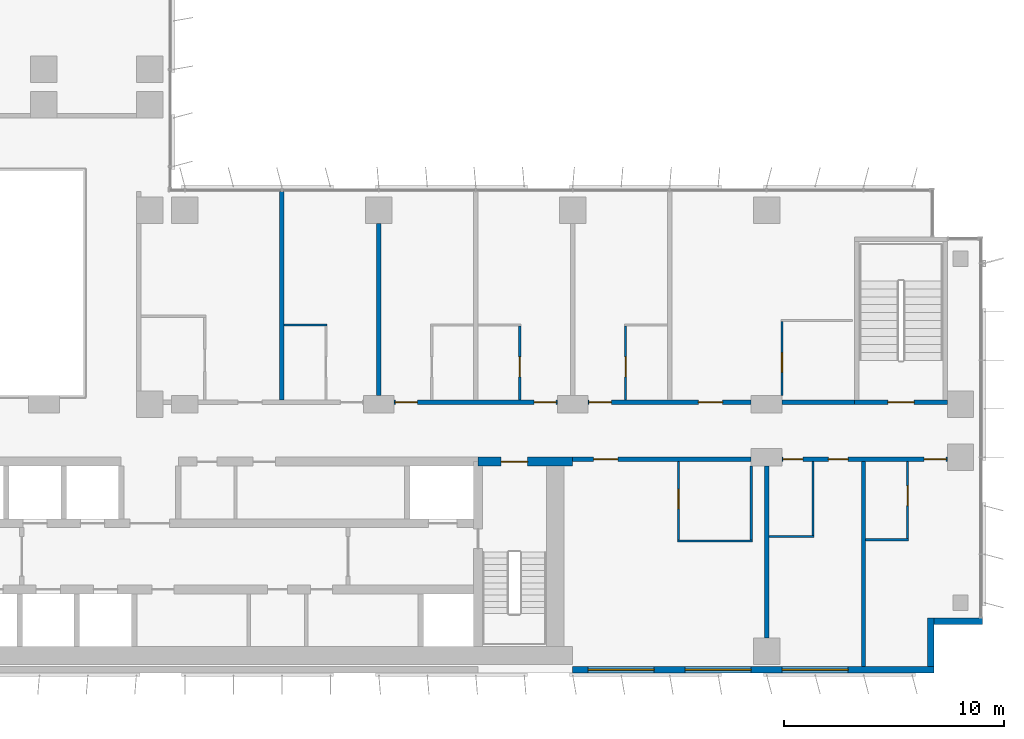
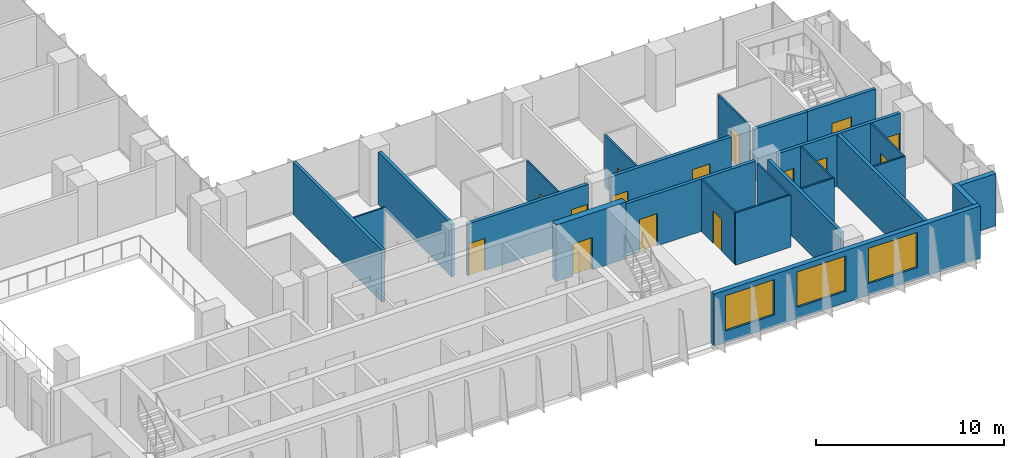
# One storey, part 14 of 23: 25 walls, 15 doors, 3 windows, 18 openings.
"""IFC4 building model written with IfcOpenShell, lengths in metres."""

from ifc_helpers import new_model, si_unit, direction, frame, frame_2d, origin, place, context, subcontext, project, spatial, rectangle, extrude, material, layer, layer_set, type_object, element, fill, save


model = new_model("IFC4")

# Units and contexts
model_context = context("Model", 3, precision=1e-05, world=origin(), true_north=direction((0.0, 1.0)))
body_context = subcontext(model_context, "Body", "Model", "MODEL_VIEW")
ifc_project = project(units=[si_unit("LENGTHUNIT", "METRE"), si_unit("AREAUNIT", "SQUARE_METRE"), si_unit("VOLUMEUNIT", "CUBIC_METRE"), si_unit("PLANEANGLEUNIT", "RADIAN"), si_unit("MASSUNIT", "GRAM", prefix="KILO")], contexts=[model_context])

# Site, building, storey
site_placement = place(None, origin())
site = spatial("IfcSite", under=ifc_project, at=site_placement, CompositionType="ELEMENT")
building_placement = place(site_placement, origin())
building = spatial("IfcBuilding", under=site, at=building_placement, Name="Kemantara Hotel Tower", CompositionType="ELEMENT")
storey_placement = place(building_placement, frame((0.0, 0.0, 142.0)))
storey = spatial("IfcBuildingStorey", under=building, at=storey_placement, Name="L34", CompositionType="ELEMENT", Elevation=142.0)

# Wall, openings, windows
ifc_material_1 = material(Name="Bronze anodised aluminium cladding on insulated steel stud wall", Category="steel")
ifc_layer_1 = layer(ifc_material_1, 0.300048828125)
ifc_layer_set_1 = layer_set([ifc_layer_1], Name="Bronze anodised aluminium cladding on insulated steel stud wall")
wall_type_1 = type_object("IfcWallType", Name="BRONZE METAL-CLAD EXTERNAL WALL 300", PredefinedType="STANDARD", material=ifc_layer_set_1)
wall_1_placement = place(storey_placement, frame((45.0, 0.14990234375, 0.0), z_axis=(0.0, 0.0, 1.0), x_axis=(1.0, 0.0, 0.0)))
wall_1 = element("IfcWall", 1, at=wall_1_placement, inside=storey, type_object=wall_type_1, Name="EXTERNAL WALL L34 T2-R07-3", PredefinedType="STANDARD", context=body_context, shape_type="SweptSolid", body=[
    extrude(rectangle(XDim=16.39990234375, YDim=0.300048828125, at=frame_2d((8.199951171875, 0.0))), origin(), (0.0, 0.0, 1.0), 3.39990234375),
])
opening_1_placement = place(wall_1_placement, frame((0.699951171875, 0.0, 0.75)))
opening_1 = element("IfcOpeningElement", 2, at=opening_1_placement, cuts=wall_1, Name="Opening W1", PredefinedType="OPENING", context=body_context, shape_type="SweptSolid", body=[
    extrude(rectangle(XDim=3.0, YDim=2.300048828125, at=frame_2d((1.5, 1.14990234375))), frame((0.0, 0.159912109375, 0.0), z_axis=(0.0, -1.0, 0.0), x_axis=(1.0, 0.0, 0.0)), (0.0, 0.0, 1.0), 0.320068359375),
])
opening_2_placement = place(wall_1_placement, frame((5.10009765625, 0.0, 0.75)))
opening_2 = element("IfcOpeningElement", 3, at=opening_2_placement, cuts=wall_1, Name="Opening W1", PredefinedType="OPENING", context=body_context, shape_type="SweptSolid", body=[
    extrude(rectangle(XDim=3.0, YDim=2.300048828125, at=frame_2d((1.5, 1.14990234375))), frame((0.0, 0.159912109375, 0.0), z_axis=(0.0, -1.0, 0.0), x_axis=(1.0, 0.0, 0.0)), (0.0, 0.0, 1.0), 0.320068359375),
])
opening_3_placement = place(wall_1_placement, frame((9.5, 0.0, 0.75)))
opening_3 = element("IfcOpeningElement", 4, at=opening_3_placement, cuts=wall_1, Name="Opening W1", PredefinedType="OPENING", context=body_context, shape_type="SweptSolid", body=[
    extrude(rectangle(XDim=3.0, YDim=2.300048828125, at=frame_2d((1.5, 1.14990234375))), frame((0.0, 0.159912109375, 0.0), z_axis=(0.0, -1.0, 0.0), x_axis=(1.0, 0.0, 0.0)), (0.0, 0.0, 1.0), 0.320068359375),
])
ifc_material_2 = material(Name="Low-E tinted double insulated glass in bronze anodised aluminium frame", Category="aluminium")
window_type = type_object("IfcWindowType", Name="CHICAGO WINDOW, TRIPLE PANEL 3000x2300", PartitioningType="TRIPLE_PANEL_VERTICAL", PredefinedType="WINDOW", material=ifc_material_2)
window_1_placement = place(opening_1_placement, origin())
window_1 = element("IfcWindow", 5, at=window_1_placement, inside=storey, type_object=window_type, Name="CHICAGO WINDOW L34 T2-R07-450", OverallHeight=2.300048828125, OverallWidth=3.0, PartitioningType="SINGLE_PANEL", PredefinedType="WINDOW", context=body_context, shape_type="SweptSolid", body=[
    extrude(rectangle(XDim=3.0, YDim=2.300048828125, at=frame_2d((1.5, 1.14990234375))), frame((0.0, 0.030029296875, 0.0), z_axis=(0.0, -1.0, 0.0), x_axis=(1.0, 0.0, 0.0)), (0.0, 0.0, 1.0), 0.06005859375),
])
fill(opening_1, window_1)
window_2_placement = place(opening_2_placement, origin())
window_2 = element("IfcWindow", 6, at=window_2_placement, inside=storey, type_object=window_type, Name="CHICAGO WINDOW L34 T2-R07-494", OverallHeight=2.300048828125, OverallWidth=3.0, PartitioningType="SINGLE_PANEL", PredefinedType="WINDOW", context=body_context, shape_type="SweptSolid", body=[
    extrude(rectangle(XDim=3.0, YDim=2.300048828125, at=frame_2d((1.5, 1.14990234375))), frame((0.0, 0.030029296875, 0.0), z_axis=(0.0, -1.0, 0.0), x_axis=(1.0, 0.0, 0.0)), (0.0, 0.0, 1.0), 0.06005859375),
])
fill(opening_2, window_2)
window_3_placement = place(opening_3_placement, origin())
window_3 = element("IfcWindow", 7, at=window_3_placement, inside=storey, type_object=window_type, Name="CHICAGO WINDOW L34 T2-R07-538", OverallHeight=2.300048828125, OverallWidth=3.0, PartitioningType="SINGLE_PANEL", PredefinedType="WINDOW", context=body_context, shape_type="SweptSolid", body=[
    extrude(rectangle(XDim=3.0, YDim=2.300048828125, at=frame_2d((1.5, 1.14990234375))), frame((0.0, 0.030029296875, 0.0), z_axis=(0.0, -1.0, 0.0), x_axis=(1.0, 0.0, 0.0)), (0.0, 0.0, 1.0), 0.06005859375),
])
fill(opening_3, window_3)

# Walls
wall_2_placement = place(storey_placement, frame((61.25, 0.300048828125, 0.0), z_axis=(0.0, 0.0, 1.0), x_axis=(0.0, 1.0, 0.0)))
element("IfcWall", 8, at=wall_2_placement, inside=storey, type_object=wall_type_1, Name="EXTERNAL WALL L34 T2-R08", PredefinedType="STANDARD", context=body_context, shape_type="SweptSolid", body=[
    extrude(rectangle(XDim=2.199951171875, YDim=0.300048828125, at=frame_2d((1.10009765625, 0.0))), origin(), (0.0, 0.0, 1.0), 3.39990234375),
])
wall_3_placement = place(storey_placement, frame((61.39990234375, 2.35009765625, 0.0), z_axis=(0.0, 0.0, 1.0), x_axis=(1.0, 0.0, 0.0)))
element("IfcWall", 9, at=wall_3_placement, inside=storey, type_object=wall_type_1, Name="EXTERNAL WALL L34 T2-R09", PredefinedType="STANDARD", context=body_context, shape_type="SweptSolid", body=[
    extrude(rectangle(XDim=2.2001953125, YDim=0.300048828125, at=frame_2d((1.10009765625, 0.0))), origin(), (0.0, 0.0, 1.0), 3.39990234375),
])

# Wall, opening, door
ifc_material_3 = material(Name="Concrete fc 60 MPa", Category="concrete")
ifc_layer_2 = layer(ifc_material_3, 0.39990234375)
ifc_layer_set_2 = layer_set([ifc_layer_2], Name="Concrete fc 60 MPa")
wall_type_2 = type_object("IfcWallType", Name="CORE WALL 400 FC60", PredefinedType="SHEAR", material=ifc_layer_set_2)
wall_4_placement = place(storey_placement, frame((40.699951171875, 9.60009765625, 0.0), z_axis=(0.0, 0.0, 1.0), x_axis=(1.0, 0.0, 0.0)))
wall_4 = element("IfcWall", 10, at=wall_4_placement, inside=storey, type_object=wall_type_2, Name="CORE WALL CW-N2", PredefinedType="SHEAR", context=body_context, shape_type="SweptSolid", body=[
    extrude(rectangle(XDim=4.300048828125, YDim=0.39990234375, at=frame_2d((2.14990234375, 0.0))), origin(), (0.0, 0.0, 1.0), 3.699951171875),
])
opening_4_placement = place(wall_4_placement, frame((1.050048828125, 0.0, 0.0)))
opening_4 = element("IfcOpeningElement", 11, at=opening_4_placement, cuts=wall_4, Name="Opening C22-ST2-C", PredefinedType="OPENING", context=body_context, shape_type="SweptSolid", body=[
    extrude(rectangle(XDim=1.199951171875, YDim=2.10009765625, at=frame_2d((0.60009765625, 1.050048828125))), frame((0.0, 0.2099609375, 0.0), z_axis=(0.0, -1.0, 0.0), x_axis=(1.0, 0.0, 0.0)), (0.0, 0.0, 1.0), 0.419921875),
])
ifc_material_4 = material(Name="Steel fire door", Category="steel")
door_type_1 = type_object("IfcDoorType", Name="Fire door FD90 1200 x 2100", OperationType="NOTDEFINED", PredefinedType="DOOR", material=ifc_material_4)
door_1_placement = place(opening_4_placement, frame((1.199951171875, 0.0, 0.0), z_axis=(0.0, 0.0, 1.0), x_axis=(-1.0, 0.0, 0.0)))
door_1 = element("IfcDoor", 12, at=door_1_placement, inside=storey, type_object=door_type_1, Name="Stair ST2 door to corridor", OperationType="SINGLE_SWING_RIGHT", OverallHeight=2.10009765625, OverallWidth=1.199951171875, PredefinedType="DOOR", context=body_context, shape_type="SweptSolid", body=[
    extrude(rectangle(XDim=1.199951171875, YDim=2.10009765625, at=frame_2d((0.60009765625, 1.050048828125))), frame((0.0, 0.02490234375, 0.0), z_axis=(0.0, -1.0, 0.0), x_axis=(1.0, 0.0, 0.0)), (0.0, 0.0, 1.0), 0.050048828125),
])
fill(opening_4, door_1)

ifc_material_5 = material(Name="Gypsum board partition, steel studs and mineral wool, 200 mm", Category="steel")
ifc_layer_3 = layer(ifc_material_5, 0.199951171875)
ifc_layer_set_3 = layer_set([ifc_layer_3], Name="Gypsum board partition, steel studs and mineral wool, 200 mm")
wall_type_3 = type_object("IfcWallType", Name="CORRIDOR WALL 200", PredefinedType="PARTITIONING", material=ifc_layer_set_3)
wall_5_placement = place(storey_placement, frame((53.099853515625, 9.699951171875, 0.0), z_axis=(0.0, 0.0, 1.0), x_axis=(-1.0, 0.0, 0.0)))
wall_5 = element("IfcWall", 13, at=wall_5_placement, inside=storey, type_object=wall_type_3, Name="CORRIDOR WALL 200 001", PredefinedType="PARTITIONING", context=body_context, shape_type="SweptSolid", body=[
    extrude(rectangle(XDim=8.099853515625, YDim=0.199951171875, at=frame_2d((4.0498046875, 0.0))), origin(), (0.0, 0.0, 1.0), 3.39990234375),
])
opening_5_placement = place(wall_5_placement, frame((6.0498046875, 0.0, 0.0)))
opening_5 = element("IfcOpeningElement", 14, at=opening_5_placement, cuts=wall_5, Name="Opening F15-001", PredefinedType="OPENING", context=body_context, shape_type="SweptSolid", body=[
    extrude(rectangle(XDim=1.10009765625, YDim=2.10009765625, at=frame_2d((0.550048828125, 1.050048828125))), frame((0.0, 0.10986328125, 0.0), z_axis=(0.0, -1.0, 0.0), x_axis=(1.0, 0.0, 0.0)), (0.0, 0.0, 1.0), 0.219970703125),
])
ifc_material_6 = material(Name="Hardwood veneer door leaf with steel frame", Category="steel")
door_type_2 = type_object("IfcDoorType", Name="SUITE ENTRANCE DOOR 1100 X 2100 FD30S", OperationType="NOTDEFINED", PredefinedType="DOOR", material=ifc_material_6)
door_2_placement = place(opening_5_placement, origin())
door_2 = element("IfcDoor", 15, at=door_2_placement, inside=storey, type_object=door_type_2, Name="SUITE ENTRANCE DOOR F15-001", OperationType="SINGLE_SWING_RIGHT", OverallHeight=2.10009765625, OverallWidth=1.10009765625, PredefinedType="DOOR", context=body_context, shape_type="SweptSolid", body=[
    extrude(rectangle(XDim=1.10009765625, YDim=2.10009765625, at=frame_2d((0.550048828125, 1.050048828125))), frame((0.0, 0.02490234375, 0.0), z_axis=(0.0, -1.0, 0.0), x_axis=(1.0, 0.0, 0.0)), (0.0, 0.0, 1.0), 0.050048828125),
])
fill(opening_5, door_2)

# Wall, openings, doors
wall_6_placement = place(storey_placement, frame((62.0, 9.699951171875, 0.0), z_axis=(0.0, 0.0, 1.0), x_axis=(-1.0, 0.0, 0.0)))
wall_6 = element("IfcWall", 16, at=wall_6_placement, inside=storey, type_object=wall_type_3, Name="CORRIDOR WALL 200 002", PredefinedType="PARTITIONING", context=body_context, shape_type="SweptSolid", body=[
    extrude(rectangle(XDim=7.5, YDim=0.199951171875, at=frame_2d((3.75, 0.0))), origin(), (0.0, 0.0, 1.0), 3.39990234375),
])
opening_6_placement = place(wall_6_placement, frame((4.5, 0.0, 0.0)))
opening_6 = element("IfcOpeningElement", 17, at=opening_6_placement, cuts=wall_6, Name="Opening F15-003", PredefinedType="OPENING", context=body_context, shape_type="SweptSolid", body=[
    extrude(rectangle(XDim=0.89990234375, YDim=2.10009765625, at=frame_2d((0.449951171875, 1.050048828125))), frame((0.0, 0.10986328125, 0.0), z_axis=(0.0, -1.0, 0.0), x_axis=(1.0, 0.0, 0.0)), (0.0, 0.0, 1.0), 0.219970703125),
])
opening_7_placement = place(wall_6_placement, frame((6.5498046875, 0.0, 0.0)))
opening_7 = element("IfcOpeningElement", 18, at=opening_7_placement, cuts=wall_6, Name="Opening F15-004", PredefinedType="OPENING", context=body_context, shape_type="SweptSolid", body=[
    extrude(rectangle(XDim=0.89990234375, YDim=2.10009765625, at=frame_2d((0.449951171875, 1.050048828125))), frame((0.0, 0.10986328125, 0.0), z_axis=(0.0, -1.0, 0.0), x_axis=(1.0, 0.0, 0.0)), (0.0, 0.0, 1.0), 0.219970703125),
])
opening_8_placement = place(wall_6_placement, frame((0.0498046875, 0.0, 0.0)))
opening_8 = element("IfcOpeningElement", 19, at=opening_8_placement, cuts=wall_6, Name="Opening F15-005", PredefinedType="OPENING", context=body_context, shape_type="SweptSolid", body=[
    extrude(rectangle(XDim=1.0, YDim=2.10009765625, at=frame_2d((0.5, 1.050048828125))), frame((0.0, 0.10986328125, 0.0), z_axis=(0.0, -1.0, 0.0), x_axis=(1.0, 0.0, 0.0)), (0.0, 0.0, 1.0), 0.219970703125),
])
door_type_3 = type_object("IfcDoorType", Name="GUEST ROOM DOOR 1000 X 2100 FD30S", OperationType="NOTDEFINED", PredefinedType="DOOR", material=ifc_material_6)
door_3_placement = place(opening_8_placement, origin())
door_3 = element("IfcDoor", 20, at=door_3_placement, inside=storey, type_object=door_type_3, Name="GUEST ROOM DOOR F15-005", OperationType="SINGLE_SWING_LEFT", OverallHeight=2.10009765625, OverallWidth=1.0, PredefinedType="DOOR", context=body_context, shape_type="SweptSolid", body=[
    extrude(rectangle(XDim=1.0, YDim=2.10009765625, at=frame_2d((0.5, 1.050048828125))), frame((0.0, 0.02490234375, 0.0), z_axis=(0.0, -1.0, 0.0), x_axis=(1.0, 0.0, 0.0)), (0.0, 0.0, 1.0), 0.050048828125),
])
fill(opening_8, door_3)
ifc_material_7 = material(Name="Steel door leaf with steel frame", Category="steel")
door_type_4 = type_object("IfcDoorType", Name="SERVICE ROOM DOOR 900 X 2100 FD60", OperationType="NOTDEFINED", PredefinedType="DOOR", material=ifc_material_7)
door_4_placement = place(opening_6_placement, origin())
door_4 = element("IfcDoor", 21, at=door_4_placement, inside=storey, type_object=door_type_4, Name="SERVICE ROOM DOOR F15-003", OperationType="SINGLE_SWING_LEFT", OverallHeight=2.10009765625, OverallWidth=0.89990234375, PredefinedType="DOOR", context=body_context, shape_type="SweptSolid", body=[
    extrude(rectangle(XDim=0.89990234375, YDim=2.10009765625, at=frame_2d((0.449951171875, 1.050048828125))), frame((0.0, 0.02490234375, 0.0), z_axis=(0.0, -1.0, 0.0), x_axis=(1.0, 0.0, 0.0)), (0.0, 0.0, 1.0), 0.050048828125),
])
fill(opening_6, door_4)
door_5_placement = place(opening_7_placement, origin())
door_5 = element("IfcDoor", 22, at=door_5_placement, inside=storey, type_object=door_type_4, Name="SERVICE ROOM DOOR F15-004", OperationType="SINGLE_SWING_RIGHT", OverallHeight=2.10009765625, OverallWidth=0.89990234375, PredefinedType="DOOR", context=body_context, shape_type="SweptSolid", body=[
    extrude(rectangle(XDim=0.89990234375, YDim=2.10009765625, at=frame_2d((0.449951171875, 1.050048828125))), frame((0.0, 0.02490234375, 0.0), z_axis=(0.0, -1.0, 0.0), x_axis=(1.0, 0.0, 0.0)), (0.0, 0.0, 1.0), 0.050048828125),
])
fill(opening_7, door_5)

wall_7_placement = place(storey_placement, frame((36.900146484375, 12.300048828125, 0.0), z_axis=(0.0, 0.0, 1.0), x_axis=(1.0, 0.0, 0.0)))
wall_7 = element("IfcWall", 23, at=wall_7_placement, inside=storey, type_object=wall_type_3, Name="CORRIDOR WALL 200 007", PredefinedType="PARTITIONING", context=body_context, shape_type="SweptSolid", body=[
    extrude(rectangle(XDim=7.399658203125, YDim=0.199951171875, at=frame_2d((3.69970703125, 0.0))), origin(), (0.0, 0.0, 1.0), 3.39990234375),
])
opening_9_placement = place(wall_7_placement, frame((0.0498046875, 0.0, 0.0)))
opening_9 = element("IfcOpeningElement", 24, at=opening_9_placement, cuts=wall_7, Name="Opening F15-011", PredefinedType="OPENING", context=body_context, shape_type="SweptSolid", body=[
    extrude(rectangle(XDim=1.0, YDim=2.10009765625, at=frame_2d((0.5, 1.050048828125))), frame((0.0, 0.10986328125, 0.0), z_axis=(0.0, -1.0, 0.0), x_axis=(1.0, 0.0, 0.0)), (0.0, 0.0, 1.0), 0.219970703125),
])
opening_10_placement = place(wall_7_placement, frame((6.349853515625, 0.0, 0.0)))
opening_10 = element("IfcOpeningElement", 25, at=opening_10_placement, cuts=wall_7, Name="Opening F15-013", PredefinedType="OPENING", context=body_context, shape_type="SweptSolid", body=[
    extrude(rectangle(XDim=1.0, YDim=2.10009765625, at=frame_2d((0.5, 1.050048828125))), frame((0.0, 0.10986328125, 0.0), z_axis=(0.0, -1.0, 0.0), x_axis=(1.0, 0.0, 0.0)), (0.0, 0.0, 1.0), 0.219970703125),
])
door_6_placement = place(opening_9_placement, origin())
door_6 = element("IfcDoor", 26, at=door_6_placement, inside=storey, type_object=door_type_3, Name="GUEST ROOM DOOR F15-011", OperationType="SINGLE_SWING_LEFT", OverallHeight=2.10009765625, OverallWidth=1.0, PredefinedType="DOOR", context=body_context, shape_type="SweptSolid", body=[
    extrude(rectangle(XDim=1.0, YDim=2.10009765625, at=frame_2d((0.5, 1.050048828125))), frame((0.0, 0.02490234375, 0.0), z_axis=(0.0, -1.0, 0.0), x_axis=(1.0, 0.0, 0.0)), (0.0, 0.0, 1.0), 0.050048828125),
])
fill(opening_9, door_6)
door_7_placement = place(opening_10_placement, origin())
door_7 = element("IfcDoor", 27, at=door_7_placement, inside=storey, type_object=door_type_3, Name="GUEST ROOM DOOR F15-013", OperationType="SINGLE_SWING_RIGHT", OverallHeight=2.10009765625, OverallWidth=1.0, PredefinedType="DOOR", context=body_context, shape_type="SweptSolid", body=[
    extrude(rectangle(XDim=1.0, YDim=2.10009765625, at=frame_2d((0.5, 1.050048828125))), frame((0.0, 0.02490234375, 0.0), z_axis=(0.0, -1.0, 0.0), x_axis=(1.0, 0.0, 0.0)), (0.0, 0.0, 1.0), 0.050048828125),
])
fill(opening_10, door_7)

wall_8_placement = place(storey_placement, frame((45.7001953125, 12.300048828125, 0.0), z_axis=(0.0, 0.0, 1.0), x_axis=(1.0, 0.0, 0.0)))
wall_8 = element("IfcWall", 28, at=wall_8_placement, inside=storey, type_object=wall_type_3, Name="CORRIDOR WALL 200 008", PredefinedType="PARTITIONING", context=body_context, shape_type="SweptSolid", body=[
    extrude(rectangle(XDim=7.399658203125, YDim=0.199951171875, at=frame_2d((3.69970703125, 0.0))), origin(), (0.0, 0.0, 1.0), 3.39990234375),
])
opening_11_placement = place(wall_8_placement, frame((0.0498046875, 0.0, 0.0)))
opening_11 = element("IfcOpeningElement", 29, at=opening_11_placement, cuts=wall_8, Name="Opening F15-015", PredefinedType="OPENING", context=body_context, shape_type="SweptSolid", body=[
    extrude(rectangle(XDim=1.0, YDim=2.10009765625, at=frame_2d((0.5, 1.050048828125))), frame((0.0, 0.10986328125, 0.0), z_axis=(0.0, -1.0, 0.0), x_axis=(1.0, 0.0, 0.0)), (0.0, 0.0, 1.0), 0.219970703125),
])
opening_12_placement = place(wall_8_placement, frame((5.0, 0.0, 0.0)))
opening_12 = element("IfcOpeningElement", 30, at=opening_12_placement, cuts=wall_8, Name="Opening F15-017", PredefinedType="OPENING", context=body_context, shape_type="SweptSolid", body=[
    extrude(rectangle(XDim=1.10009765625, YDim=2.10009765625, at=frame_2d((0.550048828125, 1.050048828125))), frame((0.0, 0.10986328125, 0.0), z_axis=(0.0, -1.0, 0.0), x_axis=(1.0, 0.0, 0.0)), (0.0, 0.0, 1.0), 0.219970703125),
])
door_8_placement = place(opening_11_placement, origin())
door_8 = element("IfcDoor", 31, at=door_8_placement, inside=storey, type_object=door_type_3, Name="GUEST ROOM DOOR F15-015", OperationType="SINGLE_SWING_LEFT", OverallHeight=2.10009765625, OverallWidth=1.0, PredefinedType="DOOR", context=body_context, shape_type="SweptSolid", body=[
    extrude(rectangle(XDim=1.0, YDim=2.10009765625, at=frame_2d((0.5, 1.050048828125))), frame((0.0, 0.02490234375, 0.0), z_axis=(0.0, -1.0, 0.0), x_axis=(1.0, 0.0, 0.0)), (0.0, 0.0, 1.0), 0.050048828125),
])
fill(opening_11, door_8)
door_9_placement = place(opening_12_placement, origin())
door_9 = element("IfcDoor", 32, at=door_9_placement, inside=storey, type_object=door_type_2, Name="SUITE ENTRANCE DOOR F15-017", OperationType="SINGLE_SWING_LEFT", OverallHeight=2.10009765625, OverallWidth=1.10009765625, PredefinedType="DOOR", context=body_context, shape_type="SweptSolid", body=[
    extrude(rectangle(XDim=1.10009765625, YDim=2.10009765625, at=frame_2d((0.550048828125, 1.050048828125))), frame((0.0, 0.02490234375, 0.0), z_axis=(0.0, -1.0, 0.0), x_axis=(1.0, 0.0, 0.0)), (0.0, 0.0, 1.0), 0.050048828125),
])
fill(opening_12, door_9)

# Wall
wall_9_placement = place(storey_placement, frame((54.5, 12.300048828125, 0.0), z_axis=(0.0, 0.0, 1.0), x_axis=(1.0, 0.0, 0.0)))
element("IfcWall", 33, at=wall_9_placement, inside=storey, type_object=wall_type_3, Name="CORRIDOR WALL 200 009", PredefinedType="PARTITIONING", context=body_context, shape_type="SweptSolid", body=[
    extrude(rectangle(XDim=3.300048828125, YDim=0.199951171875, at=frame_2d((1.64990234375, 0.0))), origin(), (0.0, 0.0, 1.0), 3.39990234375),
])

# Wall, opening, door
ifc_material_8 = material(Name="Concrete fc 40 MPa", Category="concrete")
ifc_layer_4 = layer(ifc_material_8, 0.199951171875)
ifc_layer_set_4 = layer_set([ifc_layer_4], Name="Concrete fc 40 MPa")
wall_type_4 = type_object("IfcWallType", Name="Concrete stair wall 200 mm", PredefinedType="SHEAR", material=ifc_layer_set_4)
wall_10_placement = place(storey_placement, frame((57.800048828125, 12.300048828125, 0.0), z_axis=(0.0, 0.0, 1.0), x_axis=(1.0, 0.0, 0.0)))
wall_10 = element("IfcWall", 34, at=wall_10_placement, inside=storey, type_object=wall_type_4, Name="Stair ST3 enclosure wall with door", PredefinedType="SHEAR", context=body_context, shape_type="SweptSolid", body=[
    extrude(rectangle(XDim=4.199951171875, YDim=0.199951171875, at=frame_2d((2.10009765625, 0.0))), origin(), (0.0, 0.0, 1.0), 3.39990234375),
])
opening_13_placement = place(wall_10_placement, frame((1.5, 0.0, 0.0)))
opening_13 = element("IfcOpeningElement", 35, at=opening_13_placement, cuts=wall_10, Name="Opening ST3-C", PredefinedType="OPENING", context=body_context, shape_type="SweptSolid", body=[
    extrude(rectangle(XDim=1.199951171875, YDim=2.10009765625, at=frame_2d((0.60009765625, 1.050048828125))), frame((0.0, 0.10986328125, 0.0), z_axis=(0.0, -1.0, 0.0), x_axis=(1.0, 0.0, 0.0)), (0.0, 0.0, 1.0), 0.219970703125),
])
door_10_placement = place(opening_13_placement, origin())
door_10 = element("IfcDoor", 36, at=door_10_placement, inside=storey, type_object=door_type_1, Name="Stair ST3 door", OperationType="SINGLE_SWING_RIGHT", OverallHeight=2.10009765625, OverallWidth=1.199951171875, PredefinedType="DOOR", context=body_context, shape_type="SweptSolid", body=[
    extrude(rectangle(XDim=1.199951171875, YDim=2.10009765625, at=frame_2d((0.60009765625, 1.050048828125))), frame((0.0, 0.02490234375, 0.0), z_axis=(0.0, -1.0, 0.0), x_axis=(1.0, 0.0, 0.0)), (0.0, 0.0, 1.0), 0.050048828125),
])
fill(opening_13, door_10)

# Walls
ifc_layer_5 = layer(ifc_material_5, 0.199951171875)
ifc_layer_set_5 = layer_set([ifc_layer_5], Name="Gypsum board partition, steel studs and mineral wool, 200 mm")
wall_type_5 = type_object("IfcWallType", Name="GUEST ROOM PARTY WALL 200", PredefinedType="PARTITIONING", material=ifc_layer_set_5)
wall_11_placement = place(storey_placement, frame((53.800048828125, 1.60009765625, 0.0), z_axis=(0.0, 0.0, 1.0), x_axis=(0.0, 1.0, 0.0)))
element("IfcWall", 37, at=wall_11_placement, inside=storey, type_object=wall_type_5, Name="GUEST ROOM PARTY WALL 200 003", PredefinedType="PARTITIONING", context=body_context, shape_type="SweptSolid", body=[
    extrude(rectangle(XDim=7.7998046875, YDim=0.199951171875, at=frame_2d((3.89990234375, 0.0))), origin(), (0.0, 0.0, 1.0), 3.39990234375),
])
wall_12_placement = place(storey_placement, frame((58.199951171875, 0.31005859375, 0.0), z_axis=(0.0, 0.0, 1.0), x_axis=(0.0, 1.0, 0.0)))
element("IfcWall", 38, at=wall_12_placement, inside=storey, type_object=wall_type_5, Name="GUEST ROOM PARTY WALL 200 004", PredefinedType="PARTITIONING", context=body_context, shape_type="SweptSolid", body=[
    extrude(rectangle(XDim=9.2900390625, YDim=0.199951171875, at=frame_2d((4.64501953125, 0.0))), origin(), (0.0, 0.0, 1.0), 3.39990234375),
])
wall_13_placement = place(storey_placement, frame((31.800048828125, 12.39990234375, 0.0), z_axis=(0.0, 0.0, 1.0), x_axis=(0.0, 1.0, 0.0)))
element("IfcWall", 39, at=wall_13_placement, inside=storey, type_object=wall_type_5, Name="GUEST ROOM PARTY WALL 200 012", PredefinedType="PARTITIONING", context=body_context, shape_type="SweptSolid", body=[
    extrude(rectangle(XDim=9.47021484375, YDim=0.199951171875, at=frame_2d((4.735107421875, 0.0))), origin(), (0.0, 0.0, 1.0), 3.39990234375),
])
wall_14_placement = place(storey_placement, frame((36.199951171875, 12.60009765625, 0.0), z_axis=(0.0, 0.0, 1.0), x_axis=(0.0, 1.0, 0.0)))
element("IfcWall", 40, at=wall_14_placement, inside=storey, type_object=wall_type_5, Name="GUEST ROOM PARTY WALL 200 013", PredefinedType="PARTITIONING", context=body_context, shape_type="SweptSolid", body=[
    extrude(rectangle(XDim=7.7998046875, YDim=0.199951171875, at=frame_2d((3.89990234375, 0.0))), origin(), (0.0, 0.0, 1.0), 3.39990234375),
])
ifc_material_9 = material(Name="Gypsum board partition on steel studs, 100 mm", Category="steel")
ifc_layer_6 = layer(ifc_material_9, 0.10009765625)
ifc_layer_set_6 = layer_set([ifc_layer_6], Name="Gypsum board partition on steel studs, 100 mm")
wall_type_6 = type_object("IfcWallType", Name="ROOM PARTITION 100", PredefinedType="PARTITIONING", material=ifc_layer_set_6)
wall_15_placement = place(storey_placement, frame((49.75, 6.0, 0.0), z_axis=(0.0, 0.0, 1.0), x_axis=(1.0, 0.0, 0.0)))
element("IfcWall", 41, at=wall_15_placement, inside=storey, type_object=wall_type_6, Name="ROOM PARTITION 100 051", PredefinedType="PARTITIONING", context=body_context, shape_type="SweptSolid", body=[
    extrude(rectangle(XDim=3.39990234375, YDim=0.10009765625, at=frame_2d((1.699951171875, 0.0))), origin(), (0.0, 0.0, 1.0), 3.39990234375),
])

# Wall, opening, door
wall_16_placement = place(storey_placement, frame((49.800048828125, 9.60009765625, 0.0), z_axis=(0.0, 0.0, 1.0), x_axis=(0.0, -1.0, 0.0)))
wall_16 = element("IfcWall", 42, at=wall_16_placement, inside=storey, type_object=wall_type_6, Name="ROOM PARTITION 100 052", PredefinedType="PARTITIONING", context=body_context, shape_type="SweptSolid", body=[
    extrude(rectangle(XDim=3.550048828125, YDim=0.10009765625, at=frame_2d((1.77490234375, 0.0))), origin(), (0.0, 0.0, 1.0), 3.39990234375),
])
opening_14_placement = place(wall_16_placement, frame((1.25, 0.0, 0.0)))
opening_14 = element("IfcOpeningElement", 43, at=opening_14_placement, cuts=wall_16, Name="Opening F15-002", PredefinedType="OPENING", context=body_context, shape_type="SweptSolid", body=[
    extrude(rectangle(XDim=0.89990234375, YDim=2.10009765625, at=frame_2d((0.449951171875, 1.050048828125))), frame((0.0, 0.06005859375, 0.0), z_axis=(0.0, -1.0, 0.0), x_axis=(1.0, 0.0, 0.0)), (0.0, 0.0, 1.0), 0.1201171875),
])
door_type_5 = type_object("IfcDoorType", Name="BATHROOM DOOR 900 X 2100", OperationType="NOTDEFINED", PredefinedType="DOOR", material=ifc_material_6)
door_11_placement = place(opening_14_placement, origin())
door_11 = element("IfcDoor", 44, at=door_11_placement, inside=storey, type_object=door_type_5, Name="BATHROOM DOOR F15-002", OperationType="SINGLE_SWING_LEFT", OverallHeight=2.10009765625, OverallWidth=0.89990234375, PredefinedType="DOOR", context=body_context, shape_type="SweptSolid", body=[
    extrude(rectangle(XDim=0.89990234375, YDim=2.10009765625, at=frame_2d((0.449951171875, 1.050048828125))), frame((0.0, 0.02490234375, 0.0), z_axis=(0.0, -1.0, 0.0), x_axis=(1.0, 0.0, 0.0)), (0.0, 0.0, 1.0), 0.050048828125),
])
fill(opening_14, door_11)

# Walls
wall_17_placement = place(storey_placement, frame((53.10009765625, 6.050048828125, 0.0), z_axis=(0.0, 0.0, 1.0), x_axis=(0.0, 1.0, 0.0)))
element("IfcWall", 45, at=wall_17_placement, inside=storey, type_object=wall_type_6, Name="ROOM PARTITION 100 053", PredefinedType="PARTITIONING", context=body_context, shape_type="SweptSolid", body=[
    extrude(rectangle(XDim=3.349853515625, YDim=0.10009765625, at=frame_2d((1.6748046875, 0.0))), origin(), (0.0, 0.0, 1.0), 3.39990234375),
])
wall_18_placement = place(storey_placement, frame((53.89990234375, 6.199951171875, 0.0), z_axis=(0.0, 0.0, 1.0), x_axis=(1.0, 0.0, 0.0)))
element("IfcWall", 46, at=wall_18_placement, inside=storey, type_object=wall_type_6, Name="ROOM PARTITION 100 054", PredefinedType="PARTITIONING", context=body_context, shape_type="SweptSolid", body=[
    extrude(rectangle(XDim=2.050048828125, YDim=0.10009765625, at=frame_2d((1.02490234375, 0.0))), origin(), (0.0, 0.0, 1.0), 3.39990234375),
])
wall_19_placement = place(storey_placement, frame((55.89990234375, 6.25, 0.0), z_axis=(0.0, 0.0, 1.0), x_axis=(0.0, 1.0, 0.0)))
element("IfcWall", 47, at=wall_19_placement, inside=storey, type_object=wall_type_6, Name="ROOM PARTITION 100 055", PredefinedType="PARTITIONING", context=body_context, shape_type="SweptSolid", body=[
    extrude(rectangle(XDim=3.35009765625, YDim=0.10009765625, at=frame_2d((1.675048828125, 0.0))), origin(), (0.0, 0.0, 1.0), 3.39990234375),
])
wall_20_placement = place(storey_placement, frame((58.300048828125, 6.050048828125, 0.0), z_axis=(0.0, 0.0, 1.0), x_axis=(1.0, 0.0, 0.0)))
element("IfcWall", 48, at=wall_20_placement, inside=storey, type_object=wall_type_6, Name="ROOM PARTITION 100 056", PredefinedType="PARTITIONING", context=body_context, shape_type="SweptSolid", body=[
    extrude(rectangle(XDim=1.949951171875, YDim=0.10009765625, at=frame_2d((0.97509765625, 0.0))), origin(), (0.0, 0.0, 1.0), 3.39990234375),
])

# Wall, opening, door
wall_21_placement = place(storey_placement, frame((60.199951171875, 6.10009765625, 0.0), z_axis=(0.0, 0.0, 1.0), x_axis=(0.0, 1.0, 0.0)))
wall_21 = element("IfcWall", 49, at=wall_21_placement, inside=storey, type_object=wall_type_6, Name="ROOM PARTITION 100 057", PredefinedType="PARTITIONING", context=body_context, shape_type="SweptSolid", body=[
    extrude(rectangle(XDim=3.5, YDim=0.10009765625, at=frame_2d((1.75, 0.0))), origin(), (0.0, 0.0, 1.0), 3.39990234375),
])
opening_15_placement = place(wall_21_placement, frame((1.5, 0.0, 0.0)))
opening_15 = element("IfcOpeningElement", 50, at=opening_15_placement, cuts=wall_21, Name="Opening F15-006", PredefinedType="OPENING", context=body_context, shape_type="SweptSolid", body=[
    extrude(rectangle(XDim=0.89990234375, YDim=2.10009765625, at=frame_2d((0.449951171875, 1.050048828125))), frame((0.0, 0.06005859375, 0.0), z_axis=(0.0, -1.0, 0.0), x_axis=(1.0, 0.0, 0.0)), (0.0, 0.0, 1.0), 0.1201171875),
])
door_12_placement = place(opening_15_placement, origin())
door_12 = element("IfcDoor", 51, at=door_12_placement, inside=storey, type_object=door_type_5, Name="BATHROOM DOOR F15-006", OperationType="SINGLE_SWING_RIGHT", OverallHeight=2.10009765625, OverallWidth=0.89990234375, PredefinedType="DOOR", context=body_context, shape_type="SweptSolid", body=[
    extrude(rectangle(XDim=0.89990234375, YDim=2.10009765625, at=frame_2d((0.449951171875, 1.050048828125))), frame((0.0, 0.02490234375, 0.0), z_axis=(0.0, -1.0, 0.0), x_axis=(1.0, 0.0, 0.0)), (0.0, 0.0, 1.0), 0.050048828125),
])
fill(opening_15, door_12)

# Wall
wall_22_placement = place(storey_placement, frame((31.89990234375, 15.800048828125, 0.0), z_axis=(0.0, 0.0, 1.0), x_axis=(1.0, 0.0, 0.0)))
element("IfcWall", 52, at=wall_22_placement, inside=storey, type_object=wall_type_6, Name="ROOM PARTITION 100 060", PredefinedType="PARTITIONING", context=body_context, shape_type="SweptSolid", body=[
    extrude(rectangle(XDim=1.9501953125, YDim=0.10009765625, at=frame_2d((0.97509765625, 0.0))), origin(), (0.0, 0.0, 1.0), 3.39990234375),
])

# Wall, opening, door
wall_23_placement = place(storey_placement, frame((42.60009765625, 12.39990234375, 0.0), z_axis=(0.0, 0.0, 1.0), x_axis=(0.0, 1.0, 0.0)))
wall_23 = element("IfcWall", 53, at=wall_23_placement, inside=storey, type_object=wall_type_6, Name="ROOM PARTITION 100 066", PredefinedType="PARTITIONING", context=body_context, shape_type="SweptSolid", body=[
    extrude(rectangle(XDim=3.35009765625, YDim=0.10009765625, at=frame_2d((1.675048828125, 0.0))), origin(), (0.0, 0.0, 1.0), 3.39990234375),
])
opening_16_placement = place(wall_23_placement, frame((1.050048828125, 0.0, 0.0)))
opening_16 = element("IfcOpeningElement", 54, at=opening_16_placement, cuts=wall_23, Name="Opening F15-014", PredefinedType="OPENING", context=body_context, shape_type="SweptSolid", body=[
    extrude(rectangle(XDim=0.89990234375, YDim=2.10009765625, at=frame_2d((0.449951171875, 1.050048828125))), frame((0.0, 0.06005859375, 0.0), z_axis=(0.0, -1.0, 0.0), x_axis=(1.0, 0.0, 0.0)), (0.0, 0.0, 1.0), 0.1201171875),
])
door_13_placement = place(opening_16_placement, origin())
door_13 = element("IfcDoor", 55, at=door_13_placement, inside=storey, type_object=door_type_5, Name="BATHROOM DOOR F15-014", OperationType="SINGLE_SWING_LEFT", OverallHeight=2.10009765625, OverallWidth=0.89990234375, PredefinedType="DOOR", context=body_context, shape_type="SweptSolid", body=[
    extrude(rectangle(XDim=0.89990234375, YDim=2.10009765625, at=frame_2d((0.449951171875, 1.050048828125))), frame((0.0, 0.02490234375, 0.0), z_axis=(0.0, -1.0, 0.0), x_axis=(1.0, 0.0, 0.0)), (0.0, 0.0, 1.0), 0.050048828125),
])
fill(opening_16, door_13)

wall_24_placement = place(storey_placement, frame((47.39990234375, 15.75, 0.0), z_axis=(0.0, 0.0, 1.0), x_axis=(0.0, -1.0, 0.0)))
wall_24 = element("IfcWall", 56, at=wall_24_placement, inside=storey, type_object=wall_type_6, Name="ROOM PARTITION 100 067", PredefinedType="PARTITIONING", context=body_context, shape_type="SweptSolid", body=[
    extrude(rectangle(XDim=3.35009765625, YDim=0.10009765625, at=frame_2d((1.675048828125, 0.0))), origin(), (0.0, 0.0, 1.0), 3.39990234375),
])
opening_17_placement = place(wall_24_placement, frame((1.39990234375, 0.0, 0.0)))
opening_17 = element("IfcOpeningElement", 57, at=opening_17_placement, cuts=wall_24, Name="Opening F15-016", PredefinedType="OPENING", context=body_context, shape_type="SweptSolid", body=[
    extrude(rectangle(XDim=0.89990234375, YDim=2.10009765625, at=frame_2d((0.449951171875, 1.050048828125))), frame((0.0, 0.06005859375, 0.0), z_axis=(0.0, -1.0, 0.0), x_axis=(1.0, 0.0, 0.0)), (0.0, 0.0, 1.0), 0.1201171875),
])
door_14_placement = place(opening_17_placement, origin())
door_14 = element("IfcDoor", 58, at=door_14_placement, inside=storey, type_object=door_type_5, Name="BATHROOM DOOR F15-016", OperationType="SINGLE_SWING_RIGHT", OverallHeight=2.10009765625, OverallWidth=0.89990234375, PredefinedType="DOOR", context=body_context, shape_type="SweptSolid", body=[
    extrude(rectangle(XDim=0.89990234375, YDim=2.10009765625, at=frame_2d((0.449951171875, 1.050048828125))), frame((0.0, 0.02490234375, 0.0), z_axis=(0.0, -1.0, 0.0), x_axis=(1.0, 0.0, 0.0)), (0.0, 0.0, 1.0), 0.050048828125),
])
fill(opening_17, door_14)

wall_25_placement = place(storey_placement, frame((54.5, 15.949951171875, 0.0), z_axis=(0.0, 0.0, 1.0), x_axis=(0.0, -1.0, 0.0)))
wall_25 = element("IfcWall", 59, at=wall_25_placement, inside=storey, type_object=wall_type_6, Name="ROOM PARTITION 100 069", PredefinedType="PARTITIONING", context=body_context, shape_type="SweptSolid", body=[
    extrude(rectangle(XDim=3.349853515625, YDim=0.10009765625, at=frame_2d((1.6748046875, 0.0))), origin(), (0.0, 0.0, 1.0), 3.39990234375),
])
opening_18_placement = place(wall_25_placement, frame((1.39990234375, 0.0, 0.0)))
opening_18 = element("IfcOpeningElement", 60, at=opening_18_placement, cuts=wall_25, Name="Opening F15-018", PredefinedType="OPENING", context=body_context, shape_type="SweptSolid", body=[
    extrude(rectangle(XDim=0.89990234375, YDim=2.10009765625, at=frame_2d((0.449951171875, 1.050048828125))), frame((0.0, 0.06005859375, 0.0), z_axis=(0.0, -1.0, 0.0), x_axis=(1.0, 0.0, 0.0)), (0.0, 0.0, 1.0), 0.1201171875),
])
door_15_placement = place(opening_18_placement, origin())
door_15 = element("IfcDoor", 61, at=door_15_placement, inside=storey, type_object=door_type_5, Name="BATHROOM DOOR F15-018", OperationType="SINGLE_SWING_RIGHT", OverallHeight=2.10009765625, OverallWidth=0.89990234375, PredefinedType="DOOR", context=body_context, shape_type="SweptSolid", body=[
    extrude(rectangle(XDim=0.89990234375, YDim=2.10009765625, at=frame_2d((0.449951171875, 1.050048828125))), frame((0.0, 0.02490234375, 0.0), z_axis=(0.0, -1.0, 0.0), x_axis=(1.0, 0.0, 0.0)), (0.0, 0.0, 1.0), 0.050048828125),
])
fill(opening_18, door_15)

save(model, "model.ifc")
